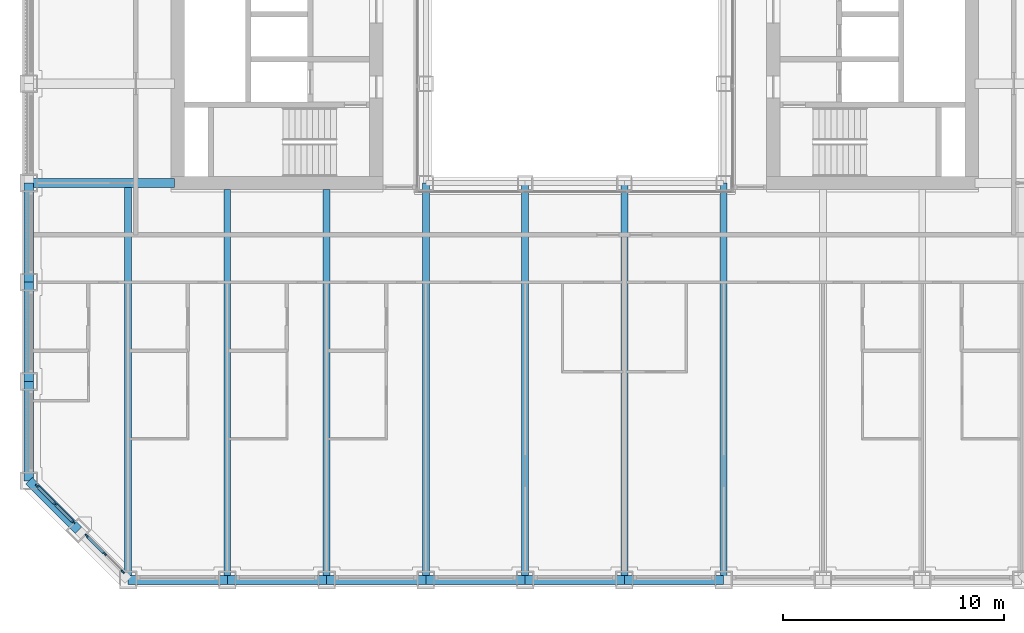
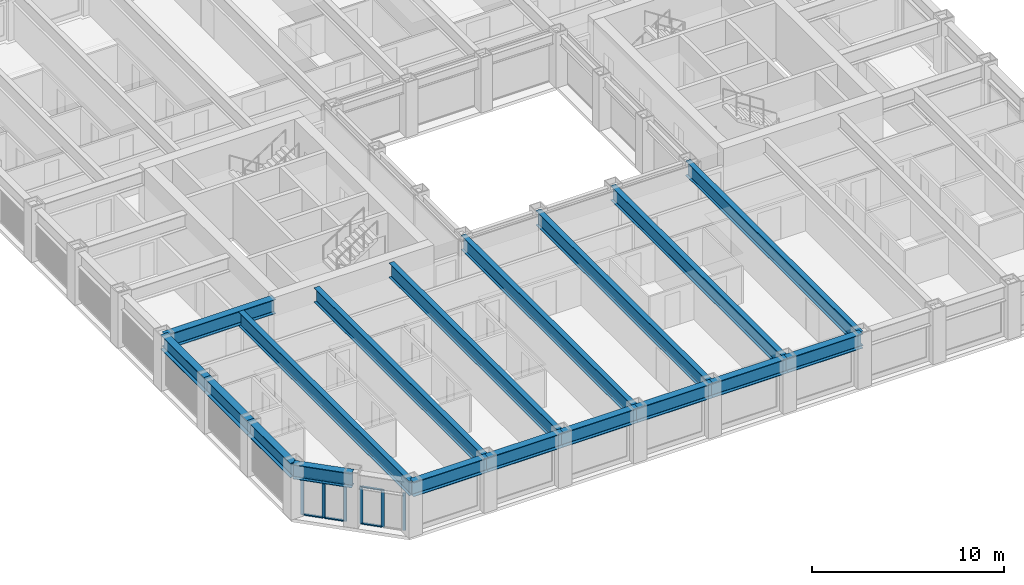
# One storey, part 2 of 21: 18 beams, 12 members, 2 elements without a shape of their own.
"""IFC4 building model written with IfcOpenShell, lengths in metres."""

from ifc_helpers import new_model, si_unit, direction, frame, origin, origin_2d, place, context, subcontext, project, spatial, rectangle, i_section, extrude, material, material_profile, profile_set, type_object, element, aggregate, save


model = new_model("IFC4")

# Units and contexts
model_context = context("Model", 3, precision=1e-05, world=origin(), true_north=direction((0.0, 1.0)))
body_context = subcontext(model_context, "Body", "Model", "MODEL_VIEW")
ifc_project = project(units=[si_unit("LENGTHUNIT", "METRE"), si_unit("AREAUNIT", "SQUARE_METRE"), si_unit("VOLUMEUNIT", "CUBIC_METRE"), si_unit("PLANEANGLEUNIT", "RADIAN"), si_unit("MASSUNIT", "GRAM", prefix="KILO")], contexts=[model_context])

# Site, building, storey
site_placement = place(None, origin())
site = spatial("IfcSite", under=ifc_project, at=site_placement, CompositionType="ELEMENT")
building_placement = place(site_placement, origin())
building = spatial("IfcBuilding", under=site, at=building_placement, Name="Msasa Ring Tower", CompositionType="ELEMENT")
storey_placement = place(building_placement, frame((0.0, 0.0, 82.5)))
storey = spatial("IfcBuildingStorey", under=building, at=storey_placement, Name="L21", CompositionType="ELEMENT", Elevation=82.5)

# Curtain wall, members
ifc_material_1 = material(Name="Aluminium curtain wall with clear glass", Category="aluminium")
curtain_wall_type = type_object("IfcCurtainWallType", Name="CW-C CHAMFER CORNER CURTAIN WALL", PredefinedType="NOTDEFINED", material=ifc_material_1)
curtain_wall_1_placement = place(storey_placement, origin())
curtain_wall_1 = element("IfcCurtainWall", 1, at=curtain_wall_1_placement, inside=storey, type_object=curtain_wall_type, Name="Chamfer corner curtain wall SW L21", PredefinedType="NOTDEFINED")
ifc_material_2 = material(Name="Aluminium mullion", Category="aluminium")
ifc_material_profile_1 = material_profile(ifc_material_2, rectangle(XDim=0.06494140625, YDim=0.179931640625, at=origin_2d()), Name="AL 65x180")
ifc_profile_set_1 = profile_set([ifc_material_profile_1], Name="Aluminium mullion")
member_type_1 = type_object("IfcMemberType", Name="CW-C MULLION 65x180", PredefinedType="MULLION", material=ifc_profile_set_1)
member_1_placement = place(storey_placement, frame((-24.369873046875, -20.48876953125, 0.0), z_axis=(0.0, 0.0, 1.0), x_axis=(0.707106781187, 0.707106781187, 0.0)))
member_1 = element("IfcMember", 2, at=member_1_placement, type_object=member_type_1, Name="CW-C mullion 1", PredefinedType="MULLION", context=body_context, shape_type="SweptSolid", body=[
    extrude(rectangle(XDim=0.06494140625, YDim=0.179931640625, at=origin_2d()), origin(), (0.0, 0.0, 1.0), 2.37890625),
])
member_2_placement = place(storey_placement, frame((-23.55419921875, -21.30419921875, 0.0), z_axis=(0.0, 0.0, 1.0), x_axis=(0.707106781187, 0.707106781187, 0.0)))
member_2 = element("IfcMember", 3, at=member_2_placement, type_object=member_type_1, Name="CW-C mullion 2", PredefinedType="MULLION", context=body_context, shape_type="SweptSolid", body=[
    extrude(rectangle(XDim=0.06494140625, YDim=0.179931640625, at=origin_2d()), origin(), (0.0, 0.0, 1.0), 2.37890625),
])
member_3_placement = place(storey_placement, frame((-22.73876953125, -22.119873046875, 0.0), z_axis=(0.0, 0.0, 1.0), x_axis=(0.707106781187, 0.707106781187, 0.0)))
member_3 = element("IfcMember", 4, at=member_3_placement, type_object=member_type_1, Name="CW-C mullion 3", PredefinedType="MULLION", context=body_context, shape_type="SweptSolid", body=[
    extrude(rectangle(XDim=0.06494140625, YDim=0.179931640625, at=origin_2d()), origin(), (0.0, 0.0, 1.0), 2.37890625),
])

curtain_wall_2_placement = place(storey_placement, origin())
curtain_wall_2 = element("IfcCurtainWall", 5, at=curtain_wall_2_placement, inside=storey, type_object=curtain_wall_type, Name="Chamfer corner curtain wall SW L21", PredefinedType="NOTDEFINED")
member_4_placement = place(storey_placement, frame((-22.119873046875, -22.73876953125, 0.0), z_axis=(0.0, 0.0, 1.0), x_axis=(0.707106781187, 0.707106781187, 0.0)))
member_4 = element("IfcMember", 6, at=member_4_placement, type_object=member_type_1, Name="CW-C mullion 1", PredefinedType="MULLION", context=body_context, shape_type="SweptSolid", body=[
    extrude(rectangle(XDim=0.06494140625, YDim=0.179931640625, at=origin_2d()), origin(), (0.0, 0.0, 1.0), 2.37890625),
])
member_5_placement = place(storey_placement, frame((-21.30419921875, -23.55419921875, 0.0), z_axis=(0.0, 0.0, 1.0), x_axis=(0.707106781187, 0.707106781187, 0.0)))
member_5 = element("IfcMember", 7, at=member_5_placement, type_object=member_type_1, Name="CW-C mullion 2", PredefinedType="MULLION", context=body_context, shape_type="SweptSolid", body=[
    extrude(rectangle(XDim=0.06494140625, YDim=0.179931640625, at=origin_2d()), origin(), (0.0, 0.0, 1.0), 2.37890625),
])
member_6_placement = place(storey_placement, frame((-20.48876953125, -24.369873046875, 0.0), z_axis=(0.0, 0.0, 1.0), x_axis=(0.707106781187, 0.707106781187, 0.0)))
member_6 = element("IfcMember", 8, at=member_6_placement, type_object=member_type_1, Name="CW-C mullion 3", PredefinedType="MULLION", context=body_context, shape_type="SweptSolid", body=[
    extrude(rectangle(XDim=0.06494140625, YDim=0.179931640625, at=origin_2d()), origin(), (0.0, 0.0, 1.0), 2.37890625),
])

# Member
ifc_material_3 = material(Name="Aluminium transom", Category="aluminium")
ifc_material_profile_2 = material_profile(ifc_material_3, rectangle(XDim=0.139892578125, YDim=0.06494140625, at=origin_2d()), Name="AL 65x140")
ifc_profile_set_2 = profile_set([ifc_material_profile_2], Name="Aluminium transom")
member_type_2 = type_object("IfcMemberType", Name="CW-C TRANSOM 65x140", PredefinedType="USERDEFINED", material=ifc_profile_set_2)
member_7_placement = place(storey_placement, frame((-24.346923828125, -20.51171875, 0.032470703125), z_axis=(0.707106781187, -0.707106781187, 0.0), x_axis=(0.707106781187, 0.707106781187, 0.0)))
member_7 = element("IfcMember", 9, at=member_7_placement, type_object=member_type_2, Name="CW-C transom 1.1", ObjectType="TRANSOM", PredefinedType="USERDEFINED", context=body_context, shape_type="SweptSolid", body=[
    extrude(rectangle(XDim=0.139892578125, YDim=0.06494140625, at=origin_2d()), origin(), (0.0, 0.0, 1.0), 1.08837890625),
])

member_8_placement = place(storey_placement, frame((-24.346923828125, -20.51171875, 2.346435546875), z_axis=(0.707106781187, -0.707106781187, 0.0), x_axis=(0.707106781187, 0.707106781187, 0.0)))
member_8 = element("IfcMember", 10, at=member_8_placement, type_object=member_type_2, Name="CW-C transom 1.2", ObjectType="TRANSOM", PredefinedType="USERDEFINED", context=body_context, shape_type="SweptSolid", body=[
    extrude(rectangle(XDim=0.139892578125, YDim=0.06494140625, at=origin_2d()), origin(), (0.0, 0.0, 1.0), 1.08837890625),
])

member_9_placement = place(storey_placement, frame((-23.53125, -21.327392578125, 0.032470703125), z_axis=(0.707106781187, -0.707106781187, 0.0), x_axis=(0.707106781187, 0.707106781187, 0.0)))
member_9 = element("IfcMember", 11, at=member_9_placement, type_object=member_type_2, Name="CW-C transom 2.1", ObjectType="TRANSOM", PredefinedType="USERDEFINED", context=body_context, shape_type="SweptSolid", body=[
    extrude(rectangle(XDim=0.139892578125, YDim=0.06494140625, at=origin_2d()), origin(), (0.0, 0.0, 1.0), 1.08837890625),
])

member_10_placement = place(storey_placement, frame((-23.53125, -21.327392578125, 2.346435546875), z_axis=(0.707106781187, -0.707106781187, 0.0), x_axis=(0.707106781187, 0.707106781187, 0.0)))
member_10 = element("IfcMember", 12, at=member_10_placement, type_object=member_type_2, Name="CW-C transom 2.2", ObjectType="TRANSOM", PredefinedType="USERDEFINED", context=body_context, shape_type="SweptSolid", body=[
    extrude(rectangle(XDim=0.139892578125, YDim=0.06494140625, at=origin_2d()), origin(), (0.0, 0.0, 1.0), 1.08837890625),
])

aggregate(curtain_wall_1, [member_1, member_2, member_3, member_7, member_8, member_9, member_10])

member_11_placement = place(storey_placement, frame((-22.096923828125, -22.76171875, 0.032470703125), z_axis=(0.707106781187, -0.707106781187, 0.0), x_axis=(0.707106781187, 0.707106781187, 0.0)))
member_11 = element("IfcMember", 13, at=member_11_placement, type_object=member_type_2, Name="CW-C transom 1.1", ObjectType="TRANSOM", PredefinedType="USERDEFINED", context=body_context, shape_type="SweptSolid", body=[
    extrude(rectangle(XDim=0.139892578125, YDim=0.06494140625, at=origin_2d()), origin(), (0.0, 0.0, 1.0), 1.08837890625),
])

member_12_placement = place(storey_placement, frame((-22.096923828125, -22.76171875, 2.346435546875), z_axis=(0.707106781187, -0.707106781187, 0.0), x_axis=(0.707106781187, 0.707106781187, 0.0)))
member_12 = element("IfcMember", 14, at=member_12_placement, type_object=member_type_2, Name="CW-C transom 1.2", ObjectType="TRANSOM", PredefinedType="USERDEFINED", context=body_context, shape_type="SweptSolid", body=[
    extrude(rectangle(XDim=0.139892578125, YDim=0.06494140625, at=origin_2d()), origin(), (0.0, 0.0, 1.0), 1.08837890625),
])

aggregate(curtain_wall_2, [member_4, member_5, member_6, member_11, member_12])

# Beams
ifc_material_4 = material(Name="Steel S355", Category="steel")
ifc_material_profile_3 = material_profile(ifc_material_4, i_section(OverallWidth=0.3076171875, OverallDepth=0.926513671875, WebThickness=0.01953125, FlangeThickness=0.031982421875, FilletRadius=0.01904296875, at=origin_2d()), Name="UB 914x305x289")
ifc_profile_set_3 = profile_set([ifc_material_profile_3], Name="Steel S355")
beam_type_1 = type_object("IfcBeamType", Name="FB3 UB 914x305x289", PredefinedType="BEAM", material=ifc_profile_set_3)
beam_1_placement = place(storey_placement, frame((-20.25, -24.75, 2.836669921875), z_axis=(0.0, 1.0, 0.0), x_axis=(-1.0, 0.0, 0.0)))
element("IfcBeam", 15, at=beam_1_placement, inside=storey, type_object=beam_type_1, Name="Floor beam S-20.25 under L22", PredefinedType="BEAM", context=body_context, shape_type="SweptSolid", body=[
    extrude(i_section(OverallWidth=0.3076171875, OverallDepth=0.926513671875, WebThickness=0.01953125, FlangeThickness=0.031982421875, FilletRadius=0.01904296875, at=origin_2d()), origin(), (0.0, 0.0, 1.0), 17.789794921875),
])
for number, where, z_axis, x_axis, name in (
    (16, (-15.75, -24.75, 2.836669921875), (0.0, 1.0, 0.0), (-1.0, 0.0, 0.0), "Floor beam S-15.75 under L22"),
    (17, (-11.25, -24.75, 2.836669921875), (0.0, 1.0, 0.0), (-1.0, 0.0, 0.0), "Floor beam S-11.25 under L22"),
):
    element("IfcBeam", number, at=place(storey_placement, frame(where, z_axis=z_axis, x_axis=x_axis)), inside=storey, type_object=beam_type_1, Name=name, PredefinedType="BEAM", context=body_context, shape_type="SweptSolid", body=[
        extrude(i_section(OverallWidth=0.3076171875, OverallDepth=0.926513671875, WebThickness=0.01953125, FlangeThickness=0.031982421875, FilletRadius=0.01904296875, at=origin_2d()), origin(), (0.0, 0.0, 1.0), 17.699951171875),
    ])
for number, where, z_axis, x_axis, name in (
    (18, (-6.75, -24.75, 2.836669921875), (0.0, 1.0, 0.0), (-1.0, 0.0, 0.0), "Floor beam S-6.75 under L22"),
    (19, (-2.25, -24.75, 2.836669921875), (0.0, 1.0, 0.0), (-1.0, 0.0, 0.0), "Floor beam S-2.25 under L22"),
    (20, (2.25, -24.75, 2.836669921875), (0.0, 1.0, 0.0), (-1.0, 0.0, 0.0), "Floor beam S+2.25 under L22"),
    (21, (6.75, -24.75, 2.836669921875), (0.0, 1.0, 0.0), (-1.0, 0.0, 0.0), "Floor beam S+6.75 under L22"),
):
    element("IfcBeam", number, at=place(storey_placement, frame(where, z_axis=z_axis, x_axis=x_axis)), inside=storey, type_object=beam_type_1, Name=name, PredefinedType="BEAM", context=body_context, shape_type="SweptSolid", body=[
        extrude(i_section(OverallWidth=0.3076171875, OverallDepth=0.926513671875, WebThickness=0.01953125, FlangeThickness=0.031982421875, FilletRadius=0.01904296875, at=origin_2d()), origin(), (0.0, 0.0, 1.0), 18.0),
    ])
ifc_material_5 = material(Name="Steel S355", Category="steel")
ifc_material_profile_4 = material_profile(ifc_material_5, i_section(OverallWidth=0.42041015625, OverallDepth=0.9208984375, WebThickness=0.021484375, FlangeThickness=0.03662109375, FilletRadius=0.024169921875, at=origin_2d()), Name="UB 914x419x388")
ifc_profile_set_4 = profile_set([ifc_material_profile_4], Name="Steel S355")
beam_type_2 = type_object("IfcBeamType", Name="GB1 UB 914x419x388", PredefinedType="BEAM", material=ifc_profile_set_4)
beam_2_placement = place(storey_placement, frame((-18.14990234375, -6.75, 2.839599609375), z_axis=(-1.0, 0.0, 0.0), x_axis=(0.0, -1.0, 0.0)))
element("IfcBeam", 22, at=beam_2_placement, inside=storey, type_object=beam_type_2, Name="Girder W -6.75 under L22", PredefinedType="BEAM", context=body_context, shape_type="SweptSolid", body=[
    extrude(i_section(OverallWidth=0.42041015625, OverallDepth=0.9208984375, WebThickness=0.021484375, FlangeThickness=0.03662109375, FilletRadius=0.024169921875, at=origin_2d()), origin(), (0.0, 0.0, 1.0), 6.60009765625),
])
ifc_material_6 = material(Name="Steel S355", Category="steel")
ifc_material_profile_5 = material_profile(ifc_material_6, i_section(OverallWidth=0.42041015625, OverallDepth=0.9208984375, WebThickness=0.021484375, FlangeThickness=0.03662109375, FilletRadius=0.024169921875, at=origin_2d()), Name="UB 914x419x388")
ifc_profile_set_5 = profile_set([ifc_material_profile_5], Name="Steel S355")
beam_type_3 = type_object("IfcBeamType", Name="SB1 UB 914x419x388", PredefinedType="SPANDREL", material=ifc_profile_set_5)
for number, where, z_axis, x_axis, name in (
    (23, (-24.75, -6.75, 2.839599609375), (0.0, -1.0, 0.0), (1.0, 0.0, 0.0), "Spandrel W-6.75 to W-11.25 under L22"),
    (24, (-24.75, -11.25, 2.839599609375), (0.0, -1.0, 0.0), (1.0, 0.0, 0.0), "Spandrel W-11.25 to W-15.75 under L22"),
    (25, (-24.75, -15.75, 2.839599609375), (0.0, -1.0, 0.0), (1.0, 0.0, 0.0), "Spandrel W-15.75 to W-20.25 under L22"),
):
    element("IfcBeam", number, at=place(storey_placement, frame(where, z_axis=z_axis, x_axis=x_axis)), inside=storey, type_object=beam_type_3, Name=name, PredefinedType="SPANDREL", context=body_context, shape_type="SweptSolid", body=[
        extrude(i_section(OverallWidth=0.42041015625, OverallDepth=0.9208984375, WebThickness=0.021484375, FlangeThickness=0.03662109375, FilletRadius=0.024169921875, at=origin_2d()), origin(), (0.0, 0.0, 1.0), 4.5),
    ])
beam_3_placement = place(storey_placement, frame((-24.75, -20.25, 2.839599609375), z_axis=(0.707106781187, -0.707106781187, 0.0), x_axis=(0.707106781187, 0.707106781187, 0.0)))
element("IfcBeam", 26, at=beam_3_placement, inside=storey, type_object=beam_type_3, Name="Spandrel W-20.25 to SW under L22", PredefinedType="SPANDREL", context=body_context, shape_type="SweptSolid", body=[
    extrude(i_section(OverallWidth=0.42041015625, OverallDepth=0.9208984375, WebThickness=0.021484375, FlangeThickness=0.03662109375, FilletRadius=0.024169921875, at=origin_2d()), origin(), (0.0, 0.0, 1.0), 3.181884765625),
])
for number, where, z_axis, x_axis, name in (
    (27, (-20.25, -24.75, 2.839599609375), (1.0, 0.0, 0.0), (0.0, 1.0, 0.0), "Spandrel S-20.25 to S-15.75 under L22"),
    (28, (-15.75, -24.75, 2.839599609375), (1.0, 0.0, 0.0), (0.0, 1.0, 0.0), "Spandrel S-15.75 to S-11.25 under L22"),
    (29, (-11.25, -24.75, 2.839599609375), (1.0, 0.0, 0.0), (0.0, 1.0, 0.0), "Spandrel S-11.25 to S-6.75 under L22"),
    (30, (-6.75, -24.75, 2.839599609375), (1.0, 0.0, 0.0), (0.0, 1.0, 0.0), "Spandrel S-6.75 to S-2.25 under L22"),
    (31, (-2.25, -24.75, 2.839599609375), (1.0, 0.0, 0.0), (0.0, 1.0, 0.0), "Spandrel S-2.25 to S+2.25 under L22"),
    (32, (2.25, -24.75, 2.839599609375), (1.0, 0.0, 0.0), (0.0, 1.0, 0.0), "Spandrel S+2.25 to S+6.75 under L22"),
):
    element("IfcBeam", number, at=place(storey_placement, frame(where, z_axis=z_axis, x_axis=x_axis)), inside=storey, type_object=beam_type_3, Name=name, PredefinedType="SPANDREL", context=body_context, shape_type="SweptSolid", body=[
        extrude(i_section(OverallWidth=0.42041015625, OverallDepth=0.9208984375, WebThickness=0.021484375, FlangeThickness=0.03662109375, FilletRadius=0.024169921875, at=origin_2d()), origin(), (0.0, 0.0, 1.0), 4.5),
    ])

save(model, "model.ifc")
